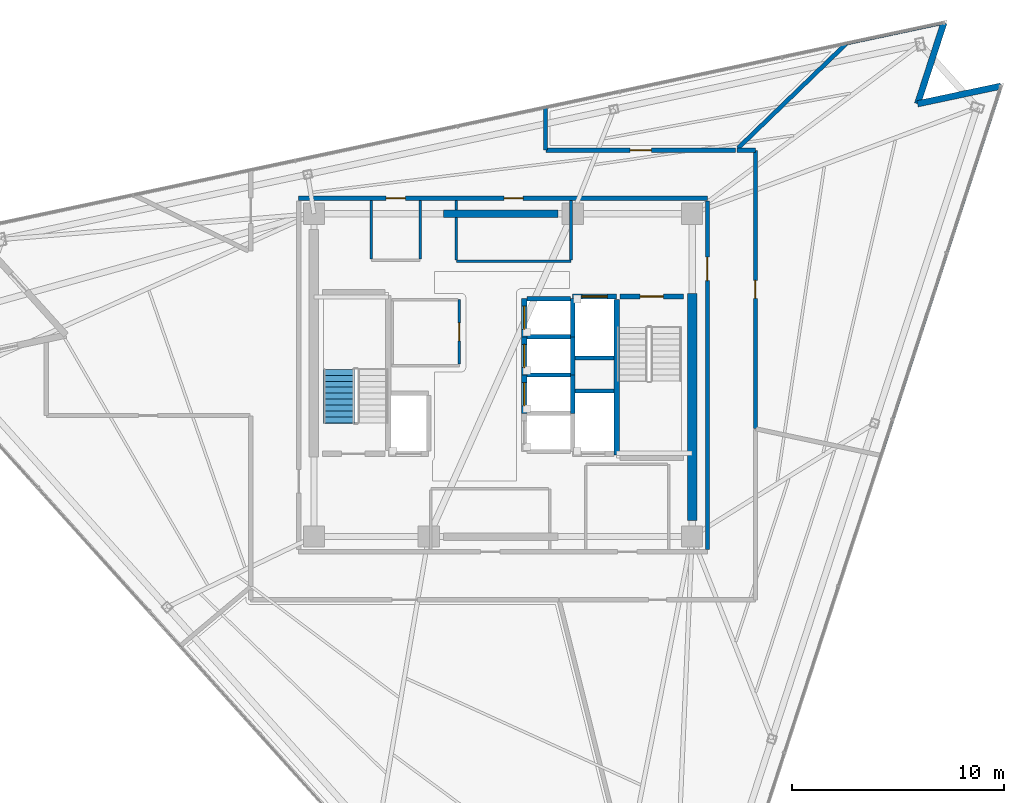
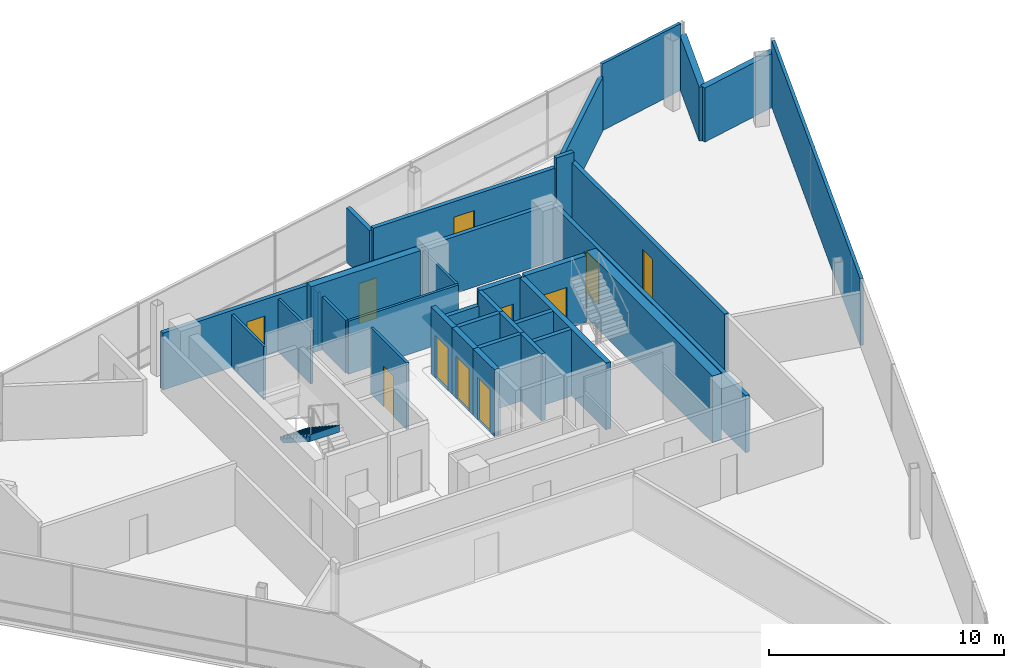
# One storey, part 11 of 15: 34 walls, 11 doors, 1 stair flight, 11 openings, 1 element without a shape of its own.
"""IFC4 building model written with IfcOpenShell, lengths in metres."""

from ifc_helpers import new_model, si_unit, direction, frame, frame_2d, origin, place, context, subcontext, project, spatial, polyline, rectangle, outline, extrude, material, layer, layer_set, type_object, element, fill, aggregate, save


model = new_model("IFC4")

# Units and contexts
model_context = context("Model", 3, precision=1e-05, world=origin(), true_north=direction((0.0, 1.0)))
body_context = subcontext(model_context, "Body", "Model", "MODEL_VIEW")
ifc_project = project(units=[si_unit("LENGTHUNIT", "METRE"), si_unit("AREAUNIT", "SQUARE_METRE"), si_unit("VOLUMEUNIT", "CUBIC_METRE"), si_unit("PLANEANGLEUNIT", "RADIAN"), si_unit("MASSUNIT", "GRAM", prefix="KILO")], contexts=[model_context])

# Site, building, storey
site_placement = place(None, origin())
site = spatial("IfcSite", under=ifc_project, at=site_placement, CompositionType="ELEMENT")
building_placement = place(site_placement, origin())
building = spatial("IfcBuilding", under=site, at=building_placement, Name="Tharavind Bronze Gate", CompositionType="ELEMENT")
storey_placement = place(building_placement, frame((0.0, 0.0, 290.699951171875)))
storey = spatial("IfcBuildingStorey", under=building, at=storey_placement, Name="L75", CompositionType="ELEMENT", Elevation=290.699951171875)

# Walls
ifc_material_1 = material(Name="Concrete C40/50", Category="concrete")
ifc_layer_1 = layer(ifc_material_1, 0.300048828125)
ifc_layer_set_1 = layer_set([ifc_layer_1], Name="Concrete C40/50")
wall_type_1 = type_object("IfcWallType", Name="EXTERIOR SPANDREL WALL 300", PredefinedType="STANDARD", material=ifc_layer_set_1)
wall_1_placement = place(storey_placement, frame((23.433837890625, 13.603271484375, 0.0), z_axis=(0.0, 0.0, 1.0), x_axis=(-0.97815049033, -0.207898095871, 0.0)))
element("IfcWall", 1, at=wall_1_placement, inside=storey, type_object=wall_type_1, Name="L75 notch cheek wall 3A", PredefinedType="STANDARD", context=body_context, shape_type="SweptSolid", body=[
    extrude(rectangle(XDim=4.008056640625, YDim=0.300048828125, at=frame_2d((2.00390625, 0.0))), origin(), (0.0, 0.0, 1.0), 2.81005859375),
])
wall_2_placement = place(storey_placement, frame((19.513427734375, 12.77001953125, 0.0), z_axis=(0.0, 0.0, 1.0), x_axis=(0.309018580232, 0.951056001018, 0.0)))
element("IfcWall", 2, at=wall_2_placement, inside=storey, type_object=wall_type_1, Name="L75 notch cheek wall 3B", PredefinedType="STANDARD", context=body_context, shape_type="SweptSolid", body=[
    extrude(rectangle(XDim=4.0078125, YDim=0.300048828125, at=frame_2d((2.00390625, 0.0))), origin(), (0.0, 0.0, 1.0), 2.81005859375),
])

# Wall, openings, doors
ifc_material_2 = material(Name="Aerated Concrete Block", Category="concrete")
ifc_layer_2 = layer(ifc_material_2, 0.199951171875)
ifc_layer_set_2 = layer_set([ifc_layer_2], Name="Aerated Concrete Block")
wall_type_2 = type_object("IfcWallType", Name="FIRE RATED PARTITION 200", PredefinedType="PARTITIONING", material=ifc_layer_set_2)
wall_3_placement = place(storey_placement, frame((9.6201171875, 8.320068359375, 0.0), z_axis=(0.0, 0.0, 1.0), x_axis=(-1.0, 0.0, 0.0)))
wall_3 = element("IfcWall", 3, at=wall_3_placement, inside=storey, type_object=wall_type_2, Name="L75 north core corridor wall", PredefinedType="PARTITIONING", context=body_context, shape_type="SweptSolid", body=[
    extrude(rectangle(XDim=19.240234375, YDim=0.199951171875, at=frame_2d((9.6201171875, 0.0))), origin(), (0.0, 0.0, 1.0), 2.9599609375),
])
opening_1_placement = place(wall_3_placement, frame((8.669921875, 0.0, 0.0)))
opening_1 = element("IfcOpeningElement", 4, at=opening_1_placement, cuts=wall_3, Name="Opening ID07", PredefinedType="OPENING", context=body_context, shape_type="SweptSolid", body=[
    extrude(rectangle(XDim=0.89990234375, YDim=2.10009765625, at=frame_2d((0.449951171875, 1.050048828125))), frame((0.0, 0.11009765625, 0.0), z_axis=(0.0, -1.0, 0.0), x_axis=(1.0, 0.0, 0.0)), (0.0, 0.0, 1.0), 0.219951171875),
])
opening_2_placement = place(wall_3_placement, frame((14.219970703125, 0.0, 0.0)))
opening_2 = element("IfcOpeningElement", 5, at=opening_2_placement, cuts=wall_3, Name="Opening ID07", PredefinedType="OPENING", context=body_context, shape_type="SweptSolid", body=[
    extrude(rectangle(XDim=0.89990234375, YDim=2.10009765625, at=frame_2d((0.449951171875, 1.050048828125))), frame((0.0, 0.11009765625, 0.0), z_axis=(0.0, -1.0, 0.0), x_axis=(1.0, 0.0, 0.0)), (0.0, 0.0, 1.0), 0.219951171875),
])
ifc_material_3 = material(Name="Galvanised Fire Steel", Category="steel")
door_type_1 = type_object("IfcDoorType", Name="PLANT AND RISER FIRE DOOR 900X2100", OperationType="SINGLE_SWING_LEFT", PredefinedType="DOOR", material=ifc_material_3)
door_1_placement = place(opening_1_placement, origin())
door_1 = element("IfcDoor", 6, at=door_1_placement, inside=storey, type_object=door_type_1, Name="L75 Core Avionics Room fire door", OperationType="SINGLE_SWING_LEFT", OverallHeight=2.10009765625, OverallWidth=0.89990234375, PredefinedType="DOOR", context=body_context, shape_type="SweptSolid", body=[
    extrude(rectangle(XDim=0.89990234375, YDim=2.10009765625, at=frame_2d((0.449951171875, 1.050048828125))), frame((0.0, 0.02490234375, 0.0), z_axis=(0.0, -1.0, 0.0), x_axis=(1.0, 0.0, 0.0)), (0.0, 0.0, 1.0), 0.050048828125),
])
fill(opening_1, door_1)
door_2_placement = place(opening_2_placement, origin())
door_2 = element("IfcDoor", 7, at=door_2_placement, inside=storey, type_object=door_type_1, Name="L75 Electrical Switch Cupboard fire door", OperationType="SINGLE_SWING_LEFT", OverallHeight=2.10009765625, OverallWidth=0.89990234375, PredefinedType="DOOR", context=body_context, shape_type="SweptSolid", body=[
    extrude(rectangle(XDim=0.89990234375, YDim=2.10009765625, at=frame_2d((0.449951171875, 1.050048828125))), frame((0.0, 0.02490234375, 0.0), z_axis=(0.0, -1.0, 0.0), x_axis=(1.0, 0.0, 0.0)), (0.0, 0.0, 1.0), 0.050048828125),
])
fill(opening_2, door_2)

# Wall, opening, door
wall_4_placement = place(storey_placement, frame((9.6201171875, -8.199951171875, 0.0), z_axis=(0.0, 0.0, 1.0), x_axis=(0.0, 1.0, 0.0)))
wall_4 = element("IfcWall", 8, at=wall_4_placement, inside=storey, type_object=wall_type_2, Name="L75 east core corridor wall", PredefinedType="PARTITIONING", context=body_context, shape_type="SweptSolid", body=[
    extrude(rectangle(XDim=16.39990234375, YDim=0.199951171875, at=frame_2d((8.199951171875, 0.0))), origin(), (0.0, 0.0, 1.0), 2.9599609375),
])
opening_3_placement = place(wall_4_placement, frame((12.64990234375, 0.0, 0.0)))
opening_3 = element("IfcOpeningElement", 9, at=opening_3_placement, cuts=wall_4, Name="Opening ID01", PredefinedType="OPENING", context=body_context, shape_type="SweptSolid", body=[
    extrude(rectangle(XDim=1.10009765625, YDim=2.14990234375, at=frame_2d((0.550048828125, 1.074951171875))), frame((0.0, 0.11009765625, 0.0), z_axis=(0.0, -1.0, 0.0), x_axis=(1.0, 0.0, 0.0)), (0.0, 0.0, 1.0), 0.219951171875),
])
ifc_material_4 = material(Name="Fire-Rated Steel", Category="steel")
door_type_2 = type_object("IfcDoorType", Name="STAIR CORE FIRE DOOR 1100X2150", OperationType="SINGLE_SWING_LEFT", PredefinedType="DOOR", material=ifc_material_4)
door_3_placement = place(opening_3_placement, frame((1.10009765625, 0.0, 0.0), z_axis=(0.0, 0.0, 1.0), x_axis=(-1.0, 0.0, 0.0)))
door_3 = element("IfcDoor", 10, at=door_3_placement, inside=storey, type_object=door_type_2, Name="L75 north east stair lobby fire door", OperationType="SINGLE_SWING_LEFT", OverallHeight=2.14990234375, OverallWidth=1.10009765625, PredefinedType="DOOR", context=body_context, shape_type="SweptSolid", body=[
    extrude(rectangle(XDim=1.10009765625, YDim=2.14990234375, at=frame_2d((0.550048828125, 1.074951171875))), frame((0.0, 0.02490234375, 0.0), z_axis=(0.0, -1.0, 0.0), x_axis=(1.0, 0.0, 0.0)), (0.0, 0.0, 1.0), 0.050048828125),
])
fill(opening_3, door_3)

# Walls
wall_5_placement = place(storey_placement, frame((11.87939453125, 10.580078125, 0.0), z_axis=(0.0, 0.0, 1.0), x_axis=(-1.0, 0.0, 0.0)))
element("IfcWall", 11, at=wall_5_placement, inside=storey, type_object=wall_type_2, Name="L75 Public Restrooms Block partition", PredefinedType="PARTITIONING", context=body_context, shape_type="SweptSolid", body=[
    extrude(rectangle(XDim=0.861572265625, YDim=0.199951171875, at=frame_2d((0.4306640625, 0.0))), origin(), (0.0, 0.0, 1.0), 3.465087890625),
])
wall_6_placement = place(storey_placement, frame((11.064697265625, 10.68505859375, 0.0), z_axis=(0.0, 0.0, 1.0), x_axis=(0.719349741171, 0.694648076278, 0.0)))
element("IfcWall", 12, at=wall_6_placement, inside=storey, type_object=wall_type_2, Name="L75 Public Restrooms Block partition", PredefinedType="PARTITIONING", context=body_context, shape_type="SweptSolid", body=[
    extrude(rectangle(XDim=7.07666015625, YDim=0.199951171875, at=frame_2d((3.538330078125, 0.0))), origin(), (0.0, 0.0, 1.0), 2.81005859375),
])

# Wall, opening, door
wall_7_placement = place(storey_placement, frame((11.8798828125, -2.5048828125, 0.0), z_axis=(0.0, 0.0, 1.0), x_axis=(0.0, 1.0, 0.0)))
wall_7 = element("IfcWall", 13, at=wall_7_placement, inside=storey, type_object=wall_type_2, Name="L75 Public Restrooms Block partition", PredefinedType="PARTITIONING", context=body_context, shape_type="SweptSolid", body=[
    extrude(rectangle(XDim=13.084228515625, YDim=0.199951171875, at=frame_2d((6.5419921875, 0.0))), origin(), (0.0, 0.0, 1.0), 2.9599609375),
])
opening_4_placement = place(wall_7_placement, frame((6.116943359375, 0.0, 0.0)))
opening_4 = element("IfcOpeningElement", 14, at=opening_4_placement, cuts=wall_7, Name="Opening ID06", PredefinedType="OPENING", context=body_context, shape_type="SweptSolid", body=[
    extrude(rectangle(XDim=0.85009765625, YDim=2.10009765625, at=frame_2d((0.425048828125, 1.050048828125))), frame((0.0, 0.11009765625, 0.0), z_axis=(0.0, -1.0, 0.0), x_axis=(1.0, 0.0, 0.0)), (0.0, 0.0, 1.0), 0.219951171875),
])
ifc_material_5 = material(Name="Moisture-Resistant Timber", Category="wood")
door_type_3 = type_object("IfcDoorType", Name="BATHROOM PRIVACY DOOR 850X2100", OperationType="SINGLE_SWING_RIGHT", PredefinedType="DOOR", material=ifc_material_5)
door_4_placement = place(opening_4_placement, origin())
door_4 = element("IfcDoor", 15, at=door_4_placement, inside=storey, type_object=door_type_3, Name="L75 Public Restrooms Block door", OperationType="SINGLE_SWING_RIGHT", OverallHeight=2.10009765625, OverallWidth=0.85009765625, PredefinedType="DOOR", context=body_context, shape_type="SweptSolid", body=[
    extrude(rectangle(XDim=0.85009765625, YDim=2.10009765625, at=frame_2d((0.425048828125, 1.050048828125))), frame((0.0, 0.02490234375, 0.0), z_axis=(0.0, -1.0, 0.0), x_axis=(1.0, 0.0, 0.0)), (0.0, 0.0, 1.0), 0.050048828125),
])
fill(opening_4, door_4)

wall_8_placement = place(storey_placement, frame((10.94580078125, 10.580078125, 0.0), z_axis=(0.0, 0.0, 1.0), x_axis=(-1.0, 0.0, 0.0)))
wall_8 = element("IfcWall", 16, at=wall_8_placement, inside=storey, type_object=wall_type_2, Name="L75 Crown Members Reading Study partition", PredefinedType="PARTITIONING", context=body_context, shape_type="SweptSolid", body=[
    extrude(rectangle(XDim=8.9208984375, YDim=0.199951171875, at=frame_2d((4.46044921875, 0.0))), origin(), (0.0, 0.0, 1.0), 2.9599609375),
])
opening_5_placement = place(wall_8_placement, frame((3.9599609375, 0.0, 0.0)))
opening_5 = element("IfcOpeningElement", 17, at=opening_5_placement, cuts=wall_8, Name="Opening ID04", PredefinedType="OPENING", context=body_context, shape_type="SweptSolid", body=[
    extrude(rectangle(XDim=1.0, YDim=2.14990234375, at=frame_2d((0.5, 1.074951171875))), frame((0.0, 0.11009765625, 0.0), z_axis=(0.0, -1.0, 0.0), x_axis=(1.0, 0.0, 0.0)), (0.0, 0.0, 1.0), 0.219951171875),
])
ifc_material_6 = material(Name="Bronze Framed Acoustic Timber", Category="wood")
door_type_4 = type_object("IfcDoorType", Name="OFFICE TENANCY DOOR 1000X2150", OperationType="SINGLE_SWING_RIGHT", PredefinedType="DOOR", material=ifc_material_6)
door_5_placement = place(opening_5_placement, origin())
door_5 = element("IfcDoor", 18, at=door_5_placement, inside=storey, type_object=door_type_4, Name="L75 Crown Members Reading Study door", OperationType="SINGLE_SWING_RIGHT", OverallHeight=2.14990234375, OverallWidth=1.0, PredefinedType="DOOR", context=body_context, shape_type="SweptSolid", body=[
    extrude(rectangle(XDim=1.0, YDim=2.14990234375, at=frame_2d((0.5, 1.074951171875))), frame((0.0, 0.02490234375, 0.0), z_axis=(0.0, -1.0, 0.0), x_axis=(1.0, 0.0, 0.0)), (0.0, 0.0, 1.0), 0.050048828125),
])
fill(opening_5, door_5)

# Wall
wall_9_placement = place(storey_placement, frame((2.0, 10.60498046875, 0.0), z_axis=(0.0, 0.0, 1.0), x_axis=(0.0, 1.0, 0.0)))
element("IfcWall", 19, at=wall_9_placement, inside=storey, type_object=wall_type_2, Name="L75 Crown Members Reading Study partition", PredefinedType="PARTITIONING", context=body_context, shape_type="SweptSolid", body=[
    extrude(rectangle(XDim=1.990966796875, YDim=0.199951171875, at=frame_2d((0.99560546875, 0.0))), origin(), (0.0, 0.0, 1.0), 2.81005859375),
])

# Wall, opening, door
ifc_material_7 = material(Name="Metal Stud Gypsum Partition", Category="gypsum")
ifc_layer_3 = layer(ifc_material_7, 0.1201171875)
ifc_layer_set_3 = layer_set([ifc_layer_3], Name="Metal Stud Gypsum Partition")
wall_type_3 = type_object("IfcWallType", Name="INTERIOR PARTITION WALL 120", PredefinedType="PARTITIONING", material=ifc_layer_set_3)
wall_10_placement = place(storey_placement, frame((-2.050048828125, 0.514892578125, 0.0), z_axis=(0.0, 0.0, 1.0), x_axis=(0.0, 1.0, 0.0)))
wall_10 = element("IfcWall", 20, at=wall_10_placement, inside=storey, type_object=wall_type_3, Name="L75 Electrical & Telecom Store partition 2", PredefinedType="PARTITIONING", context=body_context, shape_type="SweptSolid", body=[
    extrude(rectangle(XDim=3.03515625, YDim=0.1201171875, at=frame_2d((1.517578125, 0.0))), origin(), (0.0, 0.0, 1.0), 3.465087890625),
])
opening_6_placement = place(wall_10_placement, frame((1.092041015625, 0.0, 0.0)))
opening_6 = element("IfcOpeningElement", 21, at=opening_6_placement, cuts=wall_10, Name="Opening ID06", PredefinedType="OPENING", context=body_context, shape_type="SweptSolid", body=[
    extrude(rectangle(XDim=0.85009765625, YDim=2.10009765625, at=frame_2d((0.425048828125, 1.050048828125))), frame((0.0, 0.07005859375, 0.0), z_axis=(0.0, -1.0, 0.0), x_axis=(1.0, 0.0, 0.0)), (0.0, 0.0, 1.0), 0.1401171875),
])
door_6_placement = place(opening_6_placement, frame((0.85009765625, 0.0, 0.0), z_axis=(0.0, 0.0, 1.0), x_axis=(-1.0, 0.0, 0.0)))
door_6 = element("IfcDoor", 22, at=door_6_placement, inside=storey, type_object=door_type_3, Name="L75 Electrical & Telecom Store door", OperationType="SINGLE_SWING_RIGHT", OverallHeight=2.10009765625, OverallWidth=0.85009765625, PredefinedType="DOOR", context=body_context, shape_type="SweptSolid", body=[
    extrude(rectangle(XDim=0.85009765625, YDim=2.10009765625, at=frame_2d((0.425048828125, 1.050048828125))), frame((0.0, 0.02490234375, 0.0), z_axis=(0.0, -1.0, 0.0), x_axis=(1.0, 0.0, 0.0)), (0.0, 0.0, 1.0), 0.050048828125),
])
fill(opening_6, door_6)

# Walls
wall_11_placement = place(storey_placement, frame((-2.199951171875, 5.35009765625, 0.0), z_axis=(0.0, 0.0, 1.0), x_axis=(1.0, 0.0, 0.0)))
element("IfcWall", 23, at=wall_11_placement, inside=storey, type_object=wall_type_3, Name="L75 Core Avionics Room partition 1", PredefinedType="PARTITIONING", context=body_context, shape_type="SweptSolid", body=[
    extrude(rectangle(XDim=5.39990234375, YDim=0.1201171875, at=frame_2d((2.699951171875, 0.0))), origin(), (0.0, 0.0, 1.0), 2.760009765625),
])
wall_12_placement = place(storey_placement, frame((3.199951171875, 5.4150390625, 0.0), z_axis=(0.0, 0.0, 1.0), x_axis=(0.0, 1.0, 0.0)))
element("IfcWall", 24, at=wall_12_placement, inside=storey, type_object=wall_type_3, Name="L75 Core Avionics Room partition 2", PredefinedType="PARTITIONING", context=body_context, shape_type="SweptSolid", body=[
    extrude(rectangle(XDim=2.800048828125, YDim=0.1201171875, at=frame_2d((1.39990234375, 0.0))), origin(), (0.0, 0.0, 1.0), 2.760009765625),
])
wall_13_placement = place(storey_placement, frame((-2.199951171875, 8.215087890625, 0.0), z_axis=(0.0, 0.0, 1.0), x_axis=(0.0, -1.0, 0.0)))
element("IfcWall", 25, at=wall_13_placement, inside=storey, type_object=wall_type_3, Name="L75 Core Avionics Room partition 4", PredefinedType="PARTITIONING", context=body_context, shape_type="SweptSolid", body=[
    extrude(rectangle(XDim=0.43505859375, YDim=0.1201171875, at=frame_2d((0.217529296875, 0.0))), origin(), (0.0, 0.0, 1.0), 2.760009765625),
])
wall_14_placement = place(storey_placement, frame((-2.199951171875, 7.419921875, 0.0), z_axis=(0.0, 0.0, 1.0), x_axis=(0.0, -1.0, 0.0)))
element("IfcWall", 26, at=wall_14_placement, inside=storey, type_object=wall_type_3, Name="L75 Core Avionics Room partition 4", PredefinedType="PARTITIONING", context=body_context, shape_type="SweptSolid", body=[
    extrude(rectangle(XDim=2.0048828125, YDim=0.1201171875, at=frame_2d((1.00244140625, 0.0))), origin(), (0.0, 0.0, 1.0), 2.760009765625),
])
for number, where, z_axis, x_axis, name in (
    (27, (-3.89990234375, 5.465087890625, 0.0), (0.0, 0.0, 1.0), (0.0, 1.0, 0.0), "L75 Electrical Switch Cupboard partition 2"),
    (28, (-6.199951171875, 8.215087890625, 0.0), (0.0, 0.0, 1.0), (0.0, -1.0, 0.0), "L75 Electrical Switch Cupboard partition 4"),
):
    element("IfcWall", number, at=place(storey_placement, frame(where, z_axis=z_axis, x_axis=x_axis)), inside=storey, type_object=wall_type_3, Name=name, PredefinedType="PARTITIONING", context=body_context, shape_type="SweptSolid", body=[
        extrude(rectangle(XDim=2.75, YDim=0.1201171875, at=frame_2d((1.375, 0.0))), origin(), (0.0, 0.0, 1.0), 2.760009765625),
    ])
ifc_material_8 = material(Name="Twin Stud Acoustic Gypsum", Category="gypsum")
ifc_layer_4 = layer(ifc_material_8, 0.14990234375)
ifc_layer_set_4 = layer_set([ifc_layer_4], Name="Twin Stud Acoustic Gypsum")
wall_type_4 = type_object("IfcWallType", Name="INTERIOR PARTITION WALL 150", PredefinedType="PARTITIONING", material=ifc_layer_set_4)
wall_15_placement = place(storey_placement, frame((16.16748046875, 15.607421875, 0.0), z_axis=(0.0, 0.0, 1.0), x_axis=(0.978147425174, 0.207912516762, 0.0)))
element("IfcWall", 29, at=wall_15_placement, inside=storey, type_object=wall_type_4, Name="L75 Public Restrooms Block partition", PredefinedType="PARTITIONING", context=body_context, shape_type="SweptSolid", body=[
    extrude(rectangle(XDim=4.5078125, YDim=0.14990234375, at=frame_2d((2.25390625, 0.0))), origin(), (0.0, 0.0, 1.0), 3.465087890625),
])
wall_16_placement = place(storey_placement, frame((23.378662109375, 13.43310546875, 0.0), z_axis=(0.0, 0.0, 1.0), x_axis=(-0.309022856951, -0.951054611409, 0.0)))
element("IfcWall", 30, at=wall_16_placement, inside=storey, type_object=wall_type_4, Name="L75 Public Restrooms Block partition", PredefinedType="PARTITIONING", context=body_context, shape_type="SweptSolid", body=[
    extrude(rectangle(XDim=18.076904296875, YDim=0.14990234375, at=frame_2d((9.03857421875, 0.0))), origin(), (0.0, 0.0, 1.0), 3.465087890625),
])
ifc_material_9 = material(Name="Concrete C50/60", Category="concrete")
ifc_layer_5 = layer(ifc_material_9, 0.25)
ifc_layer_set_5 = layer_set([ifc_layer_5], Name="Concrete C50/60")
wall_type_5 = type_object("IfcWallType", Name="RC CORE SHEAR WALL 250", PredefinedType="SHEAR", material=ifc_layer_set_5)
wall_17_placement = place(storey_placement, frame((5.35009765625, -3.75, 0.0), z_axis=(0.0, 0.0, 1.0), x_axis=(0.0, 1.0, 0.0)))
element("IfcWall", 31, at=wall_17_placement, inside=storey, type_object=wall_type_5, Name="L75 ST2 shaft west wall", PredefinedType="SHEAR", context=body_context, shape_type="SweptSolid", body=[
    extrude(rectangle(XDim=7.300048828125, YDim=0.25, at=frame_2d((3.64990234375, 0.0))), origin(), (0.0, 0.0, 1.0), 3.465087890625),
])

# Wall, opening, door
wall_18_placement = place(storey_placement, frame((5.5, 3.699951171875, 0.0), z_axis=(0.0, 0.0, 1.0), x_axis=(1.0, 0.0, 0.0)))
wall_18 = element("IfcWall", 32, at=wall_18_placement, inside=storey, type_object=wall_type_5, Name="L75 ST2 shaft north wall", PredefinedType="SHEAR", context=body_context, shape_type="SweptSolid", body=[
    extrude(rectangle(XDim=3.0, YDim=0.25, at=frame_2d((1.5, 0.0))), origin(), (0.0, 0.0, 1.0), 3.465087890625),
])
opening_7_placement = place(wall_18_placement, frame((0.949951171875, 0.0, 0.0)))
opening_7 = element("IfcOpeningElement", 33, at=opening_7_placement, cuts=wall_18, Name="Opening ID01", PredefinedType="OPENING", context=body_context, shape_type="SweptSolid", body=[
    extrude(rectangle(XDim=1.10009765625, YDim=2.14990234375, at=frame_2d((0.550048828125, 1.074951171875))), frame((0.0, 0.135, 0.0), z_axis=(0.0, -1.0, 0.0), x_axis=(1.0, 0.0, 0.0)), (0.0, 0.0, 1.0), 0.27),
])
door_7_placement = place(opening_7_placement, frame((1.10009765625, 0.0, 0.0), z_axis=(0.0, 0.0, 1.0), x_axis=(-1.0, 0.0, 0.0)))
door_7 = element("IfcDoor", 34, at=door_7_placement, inside=storey, type_object=door_type_2, Name="L75 exit stair ST2 fire door", OperationType="SINGLE_SWING_LEFT", OverallHeight=2.14990234375, OverallWidth=1.10009765625, PredefinedType="DOOR", context=body_context, shape_type="SweptSolid", body=[
    extrude(rectangle(XDim=1.10009765625, YDim=2.14990234375, at=frame_2d((0.550048828125, 1.074951171875))), frame((0.0, 0.02490234375, 0.0), z_axis=(0.0, -1.0, 0.0), x_axis=(1.0, 0.0, 0.0)), (0.0, 0.0, 1.0), 0.050048828125),
])
fill(opening_7, door_7)

wall_19_placement = place(storey_placement, frame((1.0, -1.800048828125, 0.0), z_axis=(0.0, 0.0, 1.0), x_axis=(0.0, 1.0, 0.0)))
wall_19 = element("IfcWall", 35, at=wall_19_placement, inside=storey, type_object=wall_type_5, Name="L75 lift PL10 shaft front wall", PredefinedType="SHEAR", context=body_context, shape_type="SweptSolid", body=[
    extrude(rectangle(XDim=1.800048828125, YDim=0.25, at=frame_2d((0.89990234375, 0.0))), origin(), (0.0, 0.0, 1.0), 3.465087890625),
])
opening_8_placement = place(wall_19_placement, frame((0.35009765625, 0.0, 0.0)))
opening_8 = element("IfcOpeningElement", 36, at=opening_8_placement, cuts=wall_19, Name="Opening LD01", PredefinedType="OPENING", context=body_context, shape_type="SweptSolid", body=[
    extrude(rectangle(XDim=1.10009765625, YDim=2.199951171875, at=frame_2d((0.550048828125, 1.10009765625))), frame((0.0, 0.135, 0.0), z_axis=(0.0, -1.0, 0.0), x_axis=(1.0, 0.0, 0.0)), (0.0, 0.0, 1.0), 0.27),
])
ifc_material_10 = material(Name="Brushed Bronze Stainless Steel", Category="steel")
door_type_5 = type_object("IfcDoorType", Name="LIFT LANDING SLIDING DOOR 1100X2200", OperationType="SLIDING_TO_LEFT", PredefinedType="DOOR", material=ifc_material_10)
door_8_placement = place(opening_8_placement, origin())
door_8 = element("IfcDoor", 37, at=door_8_placement, inside=storey, type_object=door_type_5, Name="L75 lift PL10 sliding landing door", OperationType="SLIDING_TO_LEFT", OverallHeight=2.199951171875, OverallWidth=1.10009765625, PredefinedType="DOOR", context=body_context, shape_type="SweptSolid", body=[
    extrude(rectangle(XDim=1.10009765625, YDim=2.199951171875, at=frame_2d((0.550048828125, 1.10009765625))), frame((0.0, 0.02490234375, 0.0), z_axis=(0.0, -1.0, 0.0), x_axis=(1.0, 0.0, 0.0)), (0.0, 0.0, 1.0), 0.050048828125),
])
fill(opening_8, door_8)

wall_20_placement = place(storey_placement, frame((1.0, 0.0, 0.0), z_axis=(0.0, 0.0, 1.0), x_axis=(0.0, 1.0, 0.0)))
wall_20 = element("IfcWall", 38, at=wall_20_placement, inside=storey, type_object=wall_type_5, Name="L75 lift PL11 shaft front wall", PredefinedType="SHEAR", context=body_context, shape_type="SweptSolid", body=[
    extrude(rectangle(XDim=1.800048828125, YDim=0.25, at=frame_2d((0.89990234375, 0.0))), origin(), (0.0, 0.0, 1.0), 3.465087890625),
])
opening_9_placement = place(wall_20_placement, frame((0.35009765625, 0.0, 0.0)))
opening_9 = element("IfcOpeningElement", 39, at=opening_9_placement, cuts=wall_20, Name="Opening LD01", PredefinedType="OPENING", context=body_context, shape_type="SweptSolid", body=[
    extrude(rectangle(XDim=1.10009765625, YDim=2.199951171875, at=frame_2d((0.550048828125, 1.10009765625))), frame((0.0, 0.135, 0.0), z_axis=(0.0, -1.0, 0.0), x_axis=(1.0, 0.0, 0.0)), (0.0, 0.0, 1.0), 0.27),
])
door_9_placement = place(opening_9_placement, origin())
door_9 = element("IfcDoor", 40, at=door_9_placement, inside=storey, type_object=door_type_5, Name="L75 lift PL11 sliding landing door", OperationType="SLIDING_TO_LEFT", OverallHeight=2.199951171875, OverallWidth=1.10009765625, PredefinedType="DOOR", context=body_context, shape_type="SweptSolid", body=[
    extrude(rectangle(XDim=1.10009765625, YDim=2.199951171875, at=frame_2d((0.550048828125, 1.10009765625))), frame((0.0, 0.02490234375, 0.0), z_axis=(0.0, -1.0, 0.0), x_axis=(1.0, 0.0, 0.0)), (0.0, 0.0, 1.0), 0.050048828125),
])
fill(opening_9, door_9)

wall_21_placement = place(storey_placement, frame((1.0, 1.800048828125, 0.0), z_axis=(0.0, 0.0, 1.0), x_axis=(0.0, 1.0, 0.0)))
wall_21 = element("IfcWall", 41, at=wall_21_placement, inside=storey, type_object=wall_type_5, Name="L75 lift PL12 shaft front wall", PredefinedType="SHEAR", context=body_context, shape_type="SweptSolid", body=[
    extrude(rectangle(XDim=1.800048828125, YDim=0.25, at=frame_2d((0.89990234375, 0.0))), origin(), (0.0, 0.0, 1.0), 3.465087890625),
])
opening_10_placement = place(wall_21_placement, frame((0.35009765625, 0.0, 0.0)))
opening_10 = element("IfcOpeningElement", 42, at=opening_10_placement, cuts=wall_21, Name="Opening LD01", PredefinedType="OPENING", context=body_context, shape_type="SweptSolid", body=[
    extrude(rectangle(XDim=1.10009765625, YDim=2.199951171875, at=frame_2d((0.550048828125, 1.10009765625))), frame((0.0, 0.135, 0.0), z_axis=(0.0, -1.0, 0.0), x_axis=(1.0, 0.0, 0.0)), (0.0, 0.0, 1.0), 0.27),
])
door_10_placement = place(opening_10_placement, origin())
door_10 = element("IfcDoor", 43, at=door_10_placement, inside=storey, type_object=door_type_5, Name="L75 lift PL12 sliding landing door", OperationType="SLIDING_TO_LEFT", OverallHeight=2.199951171875, OverallWidth=1.10009765625, PredefinedType="DOOR", context=body_context, shape_type="SweptSolid", body=[
    extrude(rectangle(XDim=1.10009765625, YDim=2.199951171875, at=frame_2d((0.550048828125, 1.10009765625))), frame((0.0, 0.02490234375, 0.0), z_axis=(0.0, -1.0, 0.0), x_axis=(1.0, 0.0, 0.0)), (0.0, 0.0, 1.0), 0.050048828125),
])
fill(opening_10, door_10)

wall_22_placement = place(storey_placement, frame((3.280029296875, 3.699951171875, 0.0), z_axis=(0.0, 0.0, 1.0), x_axis=(1.0, 0.0, 0.0)))
wall_22 = element("IfcWall", 44, at=wall_22_placement, inside=storey, type_object=wall_type_5, Name="L75 lift FFL2 shaft front wall", PredefinedType="SHEAR", context=body_context, shape_type="SweptSolid", body=[
    extrude(rectangle(XDim=2.070068359375, YDim=0.25, at=frame_2d((1.03515625, 0.0))), origin(), (0.0, 0.0, 1.0), 3.465087890625),
])
opening_11_placement = place(wall_22_placement, frame((0.43505859375, 0.0, 0.0)))
opening_11 = element("IfcOpeningElement", 45, at=opening_11_placement, cuts=wall_22, Name="Opening LD02", PredefinedType="OPENING", context=body_context, shape_type="SweptSolid", body=[
    extrude(rectangle(XDim=1.199951171875, YDim=2.199951171875, at=frame_2d((0.60009765625, 1.10009765625))), frame((0.0, 0.135, 0.0), z_axis=(0.0, -1.0, 0.0), x_axis=(1.0, 0.0, 0.0)), (0.0, 0.0, 1.0), 0.27),
])
ifc_material_11 = material(Name="Brushed Stainless Steel", Category="steel")
door_type_6 = type_object("IfcDoorType", Name="FIREFIGHTING LIFT LANDING DOOR 1200X2200", OperationType="SLIDING_TO_RIGHT", PredefinedType="DOOR", material=ifc_material_11)
door_11_placement = place(opening_11_placement, origin())
door_11 = element("IfcDoor", 46, at=door_11_placement, inside=storey, type_object=door_type_6, Name="L75 lift FFL2 sliding landing door", OperationType="SLIDING_TO_RIGHT", OverallHeight=2.199951171875, OverallWidth=1.199951171875, PredefinedType="DOOR", context=body_context, shape_type="SweptSolid", body=[
    extrude(rectangle(XDim=1.199951171875, YDim=2.199951171875, at=frame_2d((0.60009765625, 1.10009765625))), frame((0.0, 0.02490234375, 0.0), z_axis=(0.0, -1.0, 0.0), x_axis=(1.0, 0.0, 0.0)), (0.0, 0.0, 1.0), 0.050048828125),
])
fill(opening_11, door_11)

# Walls
ifc_layer_6 = layer(ifc_material_9, 0.35009765625)
ifc_layer_set_6 = layer_set([ifc_layer_6], Name="Concrete C50/60")
wall_type_6 = type_object("IfcWallType", Name="RC CORE SHEAR WALL 350", PredefinedType="SHEAR", material=ifc_layer_set_6)
wall_23_placement = place(storey_placement, frame((-2.800048828125, 7.60009765625, 0.0), z_axis=(0.0, 0.0, 1.0), x_axis=(1.0, 0.0, 0.0)))
element("IfcWall", 47, at=wall_23_placement, inside=storey, type_object=wall_type_6, Name="L75 north core shear wall", PredefinedType="SHEAR", context=body_context, shape_type="SweptSolid", body=[
    extrude(rectangle(XDim=5.380126953125, YDim=0.35009765625, at=frame_2d((2.68994140625, 0.0))), origin(), (0.0, 0.0, 1.0), 3.465087890625),
])
ifc_material_12 = material(Name="Concrete C60/75", Category="concrete")
ifc_layer_7 = layer(ifc_material_12, 0.449951171875)
ifc_layer_set_7 = layer_set([ifc_layer_7], Name="Concrete C60/75")
wall_type_7 = type_object("IfcWallType", Name="RC CORE SHEAR WALL 450", PredefinedType="SHEAR", material=ifc_layer_set_7)
wall_24_placement = place(storey_placement, frame((8.89990234375, -6.85009765625, 0.0), z_axis=(0.0, 0.0, 1.0), x_axis=(0.0, 1.0, 0.0)))
element("IfcWall", 48, at=wall_24_placement, inside=storey, type_object=wall_type_7, Name="L75 east core shear wall", PredefinedType="SHEAR", context=body_context, shape_type="SweptSolid", body=[
    extrude(rectangle(XDim=10.7001953125, YDim=0.449951171875, at=frame_2d((5.35009765625, 0.0))), origin(), (0.0, 0.0, 1.0), 3.465087890625),
])
ifc_layer_8 = layer(ifc_material_1, 0.199951171875)
ifc_layer_set_8 = layer_set([ifc_layer_8], Name="Concrete C40/50")
wall_type_8 = type_object("IfcWallType", Name="SHAFT ENCLOSURE WALL 200", PredefinedType="PARTITIONING", material=ifc_layer_set_8)
wall_25_placement = place(storey_placement, frame((3.280029296875, -1.800048828125, 0.0), z_axis=(0.0, 0.0, 1.0), x_axis=(0.0, 1.0, 0.0)))
element("IfcWall", 49, at=wall_25_placement, inside=storey, type_object=wall_type_8, Name="L75 lift PL10 shaft E enclosure wall", PredefinedType="PARTITIONING", context=body_context, shape_type="SweptSolid", body=[
    extrude(rectangle(XDim=1.800048828125, YDim=0.199951171875, at=frame_2d((0.89990234375, 0.0))), origin(), (0.0, 0.0, 1.0), 3.465087890625),
])
wall_26_placement = place(storey_placement, frame((1.1298828125, 0.0, 0.0), z_axis=(0.0, 0.0, 1.0), x_axis=(1.0, 0.0, 0.0)))
element("IfcWall", 50, at=wall_26_placement, inside=storey, type_object=wall_type_8, Name="L75 lift PL10 shaft N enclosure wall", PredefinedType="PARTITIONING", context=body_context, shape_type="SweptSolid", body=[
    extrude(rectangle(XDim=2.045166015625, YDim=0.199951171875, at=frame_2d((1.0224609375, 0.0))), origin(), (0.0, 0.0, 1.0), 3.465087890625),
])
wall_27_placement = place(storey_placement, frame((3.280029296875, 0.0, 0.0), z_axis=(0.0, 0.0, 1.0), x_axis=(0.0, 1.0, 0.0)))
element("IfcWall", 51, at=wall_27_placement, inside=storey, type_object=wall_type_8, Name="L75 lift PL11 shaft E enclosure wall", PredefinedType="PARTITIONING", context=body_context, shape_type="SweptSolid", body=[
    extrude(rectangle(XDim=1.800048828125, YDim=0.199951171875, at=frame_2d((0.89990234375, 0.0))), origin(), (0.0, 0.0, 1.0), 3.465087890625),
])
wall_28_placement = place(storey_placement, frame((1.1298828125, 1.800048828125, 0.0), z_axis=(0.0, 0.0, 1.0), x_axis=(1.0, 0.0, 0.0)))
element("IfcWall", 52, at=wall_28_placement, inside=storey, type_object=wall_type_8, Name="L75 lift PL11 shaft N enclosure wall", PredefinedType="PARTITIONING", context=body_context, shape_type="SweptSolid", body=[
    extrude(rectangle(XDim=2.045166015625, YDim=0.199951171875, at=frame_2d((1.0224609375, 0.0))), origin(), (0.0, 0.0, 1.0), 3.465087890625),
])
wall_29_placement = place(storey_placement, frame((3.280029296875, 1.800048828125, 0.0), z_axis=(0.0, 0.0, 1.0), x_axis=(0.0, 1.0, 0.0)))
element("IfcWall", 53, at=wall_29_placement, inside=storey, type_object=wall_type_8, Name="L75 lift PL12 shaft E enclosure wall", PredefinedType="PARTITIONING", context=body_context, shape_type="SweptSolid", body=[
    extrude(rectangle(XDim=1.800048828125, YDim=0.199951171875, at=frame_2d((0.89990234375, 0.0))), origin(), (0.0, 0.0, 1.0), 3.465087890625),
])
wall_30_placement = place(storey_placement, frame((1.1298828125, 3.60009765625, 0.0), z_axis=(0.0, 0.0, 1.0), x_axis=(1.0, 0.0, 0.0)))
element("IfcWall", 54, at=wall_30_placement, inside=storey, type_object=wall_type_8, Name="L75 lift PL12 shaft N enclosure wall", PredefinedType="PARTITIONING", context=body_context, shape_type="SweptSolid", body=[
    extrude(rectangle(XDim=2.045166015625, YDim=0.199951171875, at=frame_2d((1.0224609375, 0.0))), origin(), (0.0, 0.0, 1.0), 2.760009765625),
])
for number, where, z_axis, x_axis, name in (
    (55, (3.385009765625, 0.800048828125, 0.0), (0.0, 0.0, 1.0), (1.0, 0.0, 0.0), "L75 lift FFL2 shaft S enclosure wall"),
    (56, (3.385009765625, -0.75, 0.0), (0.0, 0.0, 1.0), (1.0, 0.0, 0.0), "L75 lift SVL1 shaft N enclosure wall"),
):
    element("IfcWall", number, at=place(storey_placement, frame(where, z_axis=z_axis, x_axis=x_axis)), inside=storey, type_object=wall_type_8, Name=name, PredefinedType="PARTITIONING", context=body_context, shape_type="SweptSolid", body=[
        extrude(rectangle(XDim=1.8349609375, YDim=0.199951171875, at=frame_2d((0.91748046875, 0.0))), origin(), (0.0, 0.0, 1.0), 3.465087890625),
    ])

# Stair, stair flight
stair_type = type_object("IfcStairType", Name="CORE HALF TURN STAIR 1450", PredefinedType="HALF_TURN_STAIR", material=ifc_material_1)
stair_placement = place(storey_placement, origin())
stair = element("IfcStair", 57, at=stair_placement, inside=storey, type_object=stair_type, Name="L75 Protected Exit Stair ST1", PredefinedType="HALF_TURN_STAIR")
stair_flight_type = type_object("IfcStairFlightType", Name="CORE STAIR FLIGHT 1450", PredefinedType="STRAIGHT", material=ifc_material_1)
stair_flight_placement = place(storey_placement, frame((-7.72509765625, 0.27001953125, 1.824951171875), z_axis=(0.0, 0.0, 1.0), x_axis=(0.0, -1.0, 0.0)))
stair_flight = element("IfcStairFlight", 58, at=stair_flight_placement, type_object=stair_flight_type, Name="ST1 flight 2", NumberOfRisers=10, NumberOfTreads=9, PredefinedType="STRAIGHT", RiserHeight=0.1825, TreadLength=0.28, context=body_context, shape_type="SweptSolid", body=[
    extrude(outline(polyline([(0.0, 0.0), (0.0, 0.1826171875), (0.280029296875, 0.1826171875), (0.280029296875, 0.364990234375), (0.56005859375, 0.364990234375), (0.56005859375, 0.547607421875), (0.840087890625, 0.547607421875), (0.840087890625, 0.72998046875), (1.1201171875, 0.72998046875), (1.1201171875, 0.91259765625), (1.39990234375, 0.91259765625), (1.39990234375, 1.094970703125), (1.679931640625, 1.094970703125), (1.679931640625, 1.277587890625), (1.9599609375, 1.277587890625), (1.9599609375, 1.4599609375), (2.239990234375, 1.4599609375), (2.239990234375, 1.642578125), (2.52001953125, 1.642578125), (2.52001953125, 1.824951171875), (2.555908203125, 1.824951171875), (2.555908203125, 1.463623046875), (0.2744140625, 0.0), (0.0, 0.0)])), frame((0.0, 0.72509765625, 0.0), z_axis=(0.0, -1.0, 0.0), x_axis=(1.0, 0.0, 0.0)), (0.0, 0.0, 1.0), 1.449951171875),
])
aggregate(stair, [stair_flight])

save(model, "model.ifc")
